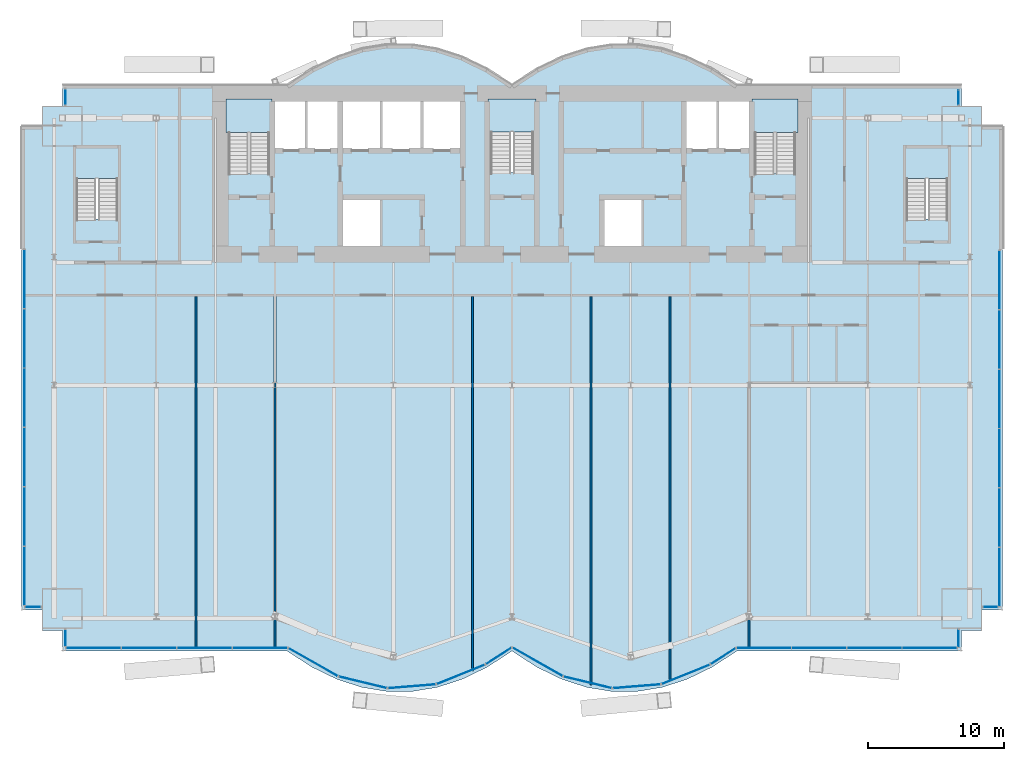
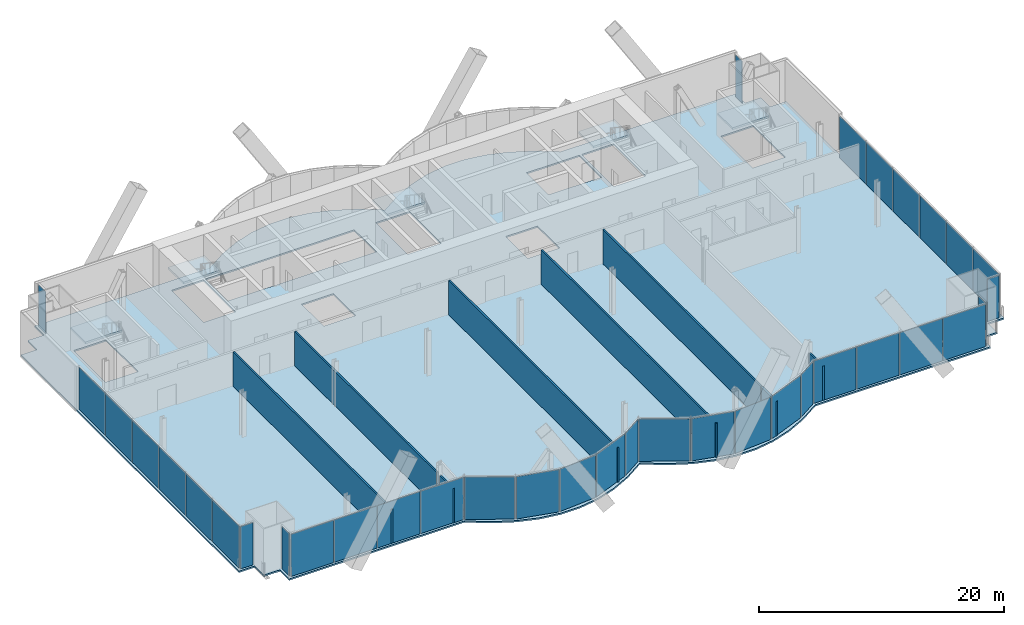
# One storey, part 15 of 23: 36 plates, 8 walls, 6 slabs, 17 elements without a shape of their own.
"""IFC4 building model written with IfcOpenShell, lengths in metres."""

from ifc_helpers import new_model, si_unit, direction, frame, frame_2d, origin, origin_2d, place, context, subcontext, project, spatial, polyline, rectangle, outline, extrude, material, layer, layer_set, type_object, element, aggregate, save


model = new_model("IFC4")

# Units and contexts
model_context = context("Model", 3, precision=1e-05, world=origin(), true_north=direction((0.0, 1.0)))
body_context = subcontext(model_context, "Body", "Model", "MODEL_VIEW")
ifc_project = project(units=[si_unit("LENGTHUNIT", "METRE"), si_unit("AREAUNIT", "SQUARE_METRE"), si_unit("VOLUMEUNIT", "CUBIC_METRE"), si_unit("PLANEANGLEUNIT", "RADIAN"), si_unit("MASSUNIT", "GRAM", prefix="KILO")], contexts=[model_context])

# Site, building, storey
site_placement = place(None, origin())
site = spatial("IfcSite", under=ifc_project, at=site_placement, CompositionType="ELEMENT")
building_placement = place(site_placement, origin())
building = spatial("IfcBuilding", under=site, at=building_placement, Name="Bicima Exchange Tower", CompositionType="ELEMENT")
storey_placement = place(building_placement, frame((0.0, 0.0, 44.0)))
storey = spatial("IfcBuildingStorey", under=building, at=storey_placement, Name="L08", CompositionType="ELEMENT", Elevation=44.0)

# Slab
ifc_material_1 = material(Name="Concrete C40/50", Category="concrete")
ifc_layer_1 = layer(ifc_material_1, 0.14990234375)
ifc_layer_set_1 = layer_set([ifc_layer_1], Name="Concrete C40/50")
slab_type_1 = type_object("IfcSlabType", Name="Composite floor slab 150", PredefinedType="FLOOR", material=ifc_layer_set_1)
slab_1_placement = place(storey_placement, frame((0.0, 0.0, -0.14990234375)))
element("IfcSlab", 1, at=slab_1_placement, inside=storey, type_object=slab_type_1, Name="Floor slab", PredefinedType="FLOOR", context=body_context, shape_type="SweptSolid", body=[
    extrude(outline(polyline([(-36.0, -38.511962890625), (-36.0, -3.0), (-34.5, -3.0), (-34.5, -1.5), (-33.0, -1.5), (-33.0, 0.0), (-16.5, 0.0), (-14.666748046875, 1.185302734375), (-12.833251953125, 2.07421875), (-11.0, 2.666748046875), (-9.166748046875, 2.962890625), (-7.333251953125, 2.962890625), (-5.5, 2.666748046875), (-3.666748046875, 2.07421875), (-1.833251953125, 1.185302734375), (0.0, 0.0), (1.833251953125, 1.185302734375), (3.666748046875, 2.07421875), (5.5, 2.666748046875), (7.333251953125, 2.962890625), (9.166748046875, 2.962890625), (11.0, 2.666748046875), (12.833251953125, 2.07421875), (14.666748046875, 1.185302734375), (16.5, 0.0), (33.0, 0.0), (33.0, -1.5), (34.5, -1.5), (34.5, -3.0), (36.0, -3.0), (36.0, -38.511962890625), (34.5, -38.511962890625), (34.5, -40.011962890625), (33.0, -40.011962890625), (33.0, -41.511962890625), (16.5, -41.511962890625), (14.666748046875, -42.697265625), (12.833251953125, -43.586181640625), (11.0, -44.1787109375), (9.166748046875, -44.47509765625), (7.333251953125, -44.47509765625), (5.5, -44.1787109375), (3.666748046875, -43.586181640625), (1.833251953125, -42.697265625), (0.0, -41.511962890625), (-1.833251953125, -42.697265625), (-3.666748046875, -43.586181640625), (-5.5, -44.1787109375), (-7.333251953125, -44.47509765625), (-9.166748046875, -44.47509765625), (-11.0, -44.1787109375), (-12.833251953125, -43.586181640625), (-14.666748046875, -42.697265625), (-16.5, -41.511962890625), (-33.0, -41.511962890625), (-33.0, -40.011962890625), (-34.5, -40.011962890625), (-34.5, -38.511962890625), (-36.0, -38.511962890625)]), holes=[polyline([(-9.60009765625, -11.800048828125), (-9.60009765625, -8.199951171875), (-12.60009765625, -8.199951171875), (-12.60009765625, -11.800048828125), (-9.60009765625, -11.800048828125)]), polyline([(-31.97509765625, -9.824951171875), (-28.925048828125, -9.824951171875), (-28.925048828125, -4.625), (-31.97509765625, -4.625), (-31.97509765625, -9.824951171875)]), polyline([(-20.800048828125, -6.449951171875), (-17.800048828125, -6.449951171875), (-17.800048828125, -1.199951171875), (-20.800048828125, -1.199951171875), (-20.800048828125, -6.449951171875)]), polyline([(-9.60009765625, -1.199951171875), (-12.60009765625, -1.199951171875), (-15.10009765625, -1.199951171875), (-17.60009765625, -1.199951171875), (-17.60009765625, -4.800048828125), (-15.10009765625, -4.800048828125), (-12.60009765625, -4.800048828125), (-9.60009765625, -4.800048828125), (-6.60009765625, -4.800048828125), (-3.60009765625, -4.800048828125), (-3.60009765625, -1.199951171875), (-6.60009765625, -1.199951171875), (-9.60009765625, -1.199951171875)]), polyline([(9.60009765625, -11.800048828125), (9.60009765625, -8.199951171875), (6.60009765625, -8.199951171875), (6.60009765625, -11.800048828125), (9.60009765625, -11.800048828125)]), polyline([(28.925048828125, -9.824951171875), (31.97509765625, -9.824951171875), (31.97509765625, -4.625), (28.925048828125, -4.625), (28.925048828125, -9.824951171875)]), polyline([(17.800048828125, -6.449951171875), (20.800048828125, -6.449951171875), (20.800048828125, -1.199951171875), (17.800048828125, -1.199951171875), (17.800048828125, -6.449951171875)]), polyline([(-1.574951171875, -6.39990234375), (1.574951171875, -6.39990234375), (1.574951171875, -1.199951171875), (-1.574951171875, -1.199951171875), (-1.574951171875, -6.39990234375)]), polyline([(17.60009765625, -4.800048828125), (17.60009765625, -1.199951171875), (15.10009765625, -1.199951171875), (12.60009765625, -1.199951171875), (12.60009765625, -4.800048828125), (15.10009765625, -4.800048828125), (17.60009765625, -4.800048828125)])]), origin(), (0.0, 0.0, 1.0), 0.14990234375),
])

# Curtain wall, plates
ifc_material_2 = material(Name="Anodised bronze aluminium", Category="aluminium")
curtain_wall_type_1 = type_object("IfcCurtainWallType", Name="End face glass wall", PredefinedType="NOTDEFINED", material=ifc_material_2)
curtain_wall_1_placement = place(storey_placement, origin())
curtain_wall_1 = element("IfcCurtainWall", 2, at=curtain_wall_1_placement, inside=storey, type_object=curtain_wall_type_1, Name="End face glass wall L08 run 2", PredefinedType="NOTDEFINED")
ifc_material_3 = material(Name="Bronze tinted glass", Category="glass")
ifc_layer_2 = layer(ifc_material_3, 0.031982421875)
ifc_layer_set_2 = layer_set([ifc_layer_2], Name="Bronze tinted glass")
plate_type_1 = type_object("IfcPlateType", Name="End face glass wall glass panel 32", PredefinedType="CURTAIN_PANEL", material=ifc_layer_set_2)
plate_1_placement = place(storey_placement, frame((-35.77001953125, -14.20849609375, 0.0), z_axis=(0.0, 0.0, 1.0), x_axis=(0.0, -1.0, 0.0)))
plate_1 = element("IfcPlate", 3, at=plate_1_placement, type_object=plate_type_1, Name="End face glass wall panel 1.1", PredefinedType="CURTAIN_PANEL", context=body_context, shape_type="SweptSolid", body=[
    extrude(rectangle(XDim=4.297119140625, YDim=0.031982421875, at=origin_2d()), origin(), (0.0, 0.0, 1.0), 4.2099609375),
])
plate_2_placement = place(storey_placement, frame((-35.77001953125, -18.5654296875, 0.0), z_axis=(0.0, 0.0, 1.0), x_axis=(0.0, -1.0, 0.0)))
plate_2 = element("IfcPlate", 4, at=plate_2_placement, type_object=plate_type_1, Name="End face glass wall panel 2.1", PredefinedType="CURTAIN_PANEL", context=body_context, shape_type="SweptSolid", body=[
    extrude(rectangle(XDim=4.297119140625, YDim=0.031982421875, at=origin_2d()), origin(), (0.0, 0.0, 1.0), 4.2099609375),
])
plate_3_placement = place(storey_placement, frame((-35.77001953125, -22.922607421875, 0.0), z_axis=(0.0, 0.0, 1.0), x_axis=(0.0, -1.0, 0.0)))
plate_3 = element("IfcPlate", 5, at=plate_3_placement, type_object=plate_type_1, Name="End face glass wall panel 3.1", PredefinedType="CURTAIN_PANEL", context=body_context, shape_type="SweptSolid", body=[
    extrude(rectangle(XDim=4.297119140625, YDim=0.031982421875, at=origin_2d()), origin(), (0.0, 0.0, 1.0), 4.2099609375),
])
plate_4_placement = place(storey_placement, frame((-35.77001953125, -27.279541015625, 0.0), z_axis=(0.0, 0.0, 1.0), x_axis=(0.0, -1.0, 0.0)))
plate_4 = element("IfcPlate", 6, at=plate_4_placement, type_object=plate_type_1, Name="End face glass wall panel 4.1", PredefinedType="CURTAIN_PANEL", context=body_context, shape_type="SweptSolid", body=[
    extrude(rectangle(XDim=4.297119140625, YDim=0.031982421875, at=origin_2d()), origin(), (0.0, 0.0, 1.0), 4.2099609375),
])
plate_5_placement = place(storey_placement, frame((-35.77001953125, -35.993408203125, 0.0), z_axis=(0.0, 0.0, 1.0), x_axis=(0.0, -1.0, 0.0)))
plate_5 = element("IfcPlate", 7, at=plate_5_placement, type_object=plate_type_1, Name="End face glass wall panel 6.1", PredefinedType="CURTAIN_PANEL", context=body_context, shape_type="SweptSolid", body=[
    extrude(rectangle(XDim=4.297119140625, YDim=0.031982421875, at=origin_2d()), origin(), (0.0, 0.0, 1.0), 4.2099609375),
])

curtain_wall_2_placement = place(storey_placement, origin())
curtain_wall_2 = element("IfcCurtainWall", 8, at=curtain_wall_2_placement, inside=storey, type_object=curtain_wall_type_1, Name="End face glass wall L08 run 19", PredefinedType="NOTDEFINED")
plate_6_placement = place(storey_placement, frame((35.77001953125, -36.073486328125, 0.0), z_axis=(0.0, 0.0, 1.0), x_axis=(0.0, 1.0, 0.0)))
plate_6 = element("IfcPlate", 9, at=plate_6_placement, type_object=plate_type_1, Name="End face glass wall panel 1.1", PredefinedType="CURTAIN_PANEL", context=body_context, shape_type="SweptSolid", body=[
    extrude(rectangle(XDim=4.297119140625, YDim=0.031982421875, at=origin_2d()), origin(), (0.0, 0.0, 1.0), 4.2099609375),
])
plate_7_placement = place(storey_placement, frame((35.77001953125, -27.359619140625, 0.0), z_axis=(0.0, 0.0, 1.0), x_axis=(0.0, 1.0, 0.0)))
plate_7 = element("IfcPlate", 10, at=plate_7_placement, type_object=plate_type_1, Name="End face glass wall panel 3.1", PredefinedType="CURTAIN_PANEL", context=body_context, shape_type="SweptSolid", body=[
    extrude(rectangle(XDim=4.297119140625, YDim=0.031982421875, at=origin_2d()), origin(), (0.0, 0.0, 1.0), 4.2099609375),
])
plate_8_placement = place(storey_placement, frame((35.77001953125, -23.00244140625, 0.0), z_axis=(0.0, 0.0, 1.0), x_axis=(0.0, 1.0, 0.0)))
plate_8 = element("IfcPlate", 11, at=plate_8_placement, type_object=plate_type_1, Name="End face glass wall panel 4.1", PredefinedType="CURTAIN_PANEL", context=body_context, shape_type="SweptSolid", body=[
    extrude(rectangle(XDim=4.297119140625, YDim=0.031982421875, at=origin_2d()), origin(), (0.0, 0.0, 1.0), 4.2099609375),
])
plate_9_placement = place(storey_placement, frame((35.77001953125, -18.6455078125, 0.0), z_axis=(0.0, 0.0, 1.0), x_axis=(0.0, 1.0, 0.0)))
plate_9 = element("IfcPlate", 12, at=plate_9_placement, type_object=plate_type_1, Name="End face glass wall panel 5.1", PredefinedType="CURTAIN_PANEL", context=body_context, shape_type="SweptSolid", body=[
    extrude(rectangle(XDim=4.297119140625, YDim=0.031982421875, at=origin_2d()), origin(), (0.0, 0.0, 1.0), 4.2099609375),
])
plate_10_placement = place(storey_placement, frame((35.77001953125, -14.28857421875, 0.0), z_axis=(0.0, 0.0, 1.0), x_axis=(0.0, 1.0, 0.0)))
plate_10 = element("IfcPlate", 13, at=plate_10_placement, type_object=plate_type_1, Name="End face glass wall panel 6.1", PredefinedType="CURTAIN_PANEL", context=body_context, shape_type="SweptSolid", body=[
    extrude(rectangle(XDim=4.297119140625, YDim=0.031982421875, at=origin_2d()), origin(), (0.0, 0.0, 1.0), 4.2099609375),
])

# Plate
ifc_material_4 = material(Name="Bronze anodised aluminium", Category="aluminium")
ifc_layer_3 = layer(ifc_material_4, 0.031982421875)
ifc_layer_set_3 = layer_set([ifc_layer_3], Name="Bronze anodised aluminium")
plate_type_2 = type_object("IfcPlateType", Name="End face glass wall spandrel panel 32", PredefinedType="CURTAIN_PANEL", material=ifc_layer_set_3)
plate_11_placement = place(storey_placement, frame((-35.77001953125, -31.636474609375, 0.0), z_axis=(0.0, 0.0, 1.0), x_axis=(0.0, -1.0, 0.0)))
plate_11 = element("IfcPlate", 14, at=plate_11_placement, type_object=plate_type_2, Name="End face spandrel wall panel 5.1", PredefinedType="CURTAIN_PANEL", context=body_context, shape_type="SweptSolid", body=[
    extrude(rectangle(XDim=4.297119140625, YDim=0.031982421875, at=origin_2d()), origin(), (0.0, 0.0, 1.0), 4.2099609375),
])

aggregate(curtain_wall_1, [plate_1, plate_2, plate_3, plate_4, plate_11, plate_5])

plate_12_placement = place(storey_placement, frame((35.77001953125, -31.716552734375, 0.0), z_axis=(0.0, 0.0, 1.0), x_axis=(0.0, 1.0, 0.0)))
plate_12 = element("IfcPlate", 15, at=plate_12_placement, type_object=plate_type_2, Name="End face spandrel wall panel 2.1", PredefinedType="CURTAIN_PANEL", context=body_context, shape_type="SweptSolid", body=[
    extrude(rectangle(XDim=4.297119140625, YDim=0.031982421875, at=origin_2d()), origin(), (0.0, 0.0, 1.0), 4.2099609375),
])

aggregate(curtain_wall_2, [plate_6, plate_12, plate_7, plate_8, plate_9, plate_10])

# Curtain wall, plate
curtain_wall_type_2 = type_object("IfcCurtainWallType", Name="Front glass wall", PredefinedType="NOTDEFINED", material=ifc_material_2)
curtain_wall_3_placement = place(storey_placement, origin())
curtain_wall_3 = element("IfcCurtainWall", 16, at=curtain_wall_3_placement, inside=storey, type_object=curtain_wall_type_2, Name="Front glass wall L08 run 1", PredefinedType="NOTDEFINED")
ifc_layer_4 = layer(ifc_material_3, 0.031982421875)
ifc_layer_set_4 = layer_set([ifc_layer_4], Name="Bronze tinted glass")
plate_type_3 = type_object("IfcPlateType", Name="Front glass wall glass panel 32", PredefinedType="CURTAIN_PANEL", material=ifc_layer_set_4)
plate_13_placement = place(storey_placement, frame((-32.77001953125, -0.864990234375, 0.0), z_axis=(0.0, 0.0, 1.0), x_axis=(0.0, -1.0, 0.0)))
plate_13 = element("IfcPlate", 17, at=plate_13_placement, type_object=plate_type_3, Name="Front glass wall panel 1.1", PredefinedType="CURTAIN_PANEL", context=body_context, shape_type="SweptSolid", body=[
    extrude(rectangle(XDim=1.14990234375, YDim=0.031982421875, at=origin_2d()), origin(), (0.0, 0.0, 1.0), 4.2099609375),
])
aggregate(curtain_wall_3, [plate_13])

curtain_wall_4_placement = place(storey_placement, origin())
curtain_wall_4 = element("IfcCurtainWall", 18, at=curtain_wall_4_placement, inside=storey, type_object=curtain_wall_type_2, Name="Front glass wall L08 run 3", PredefinedType="NOTDEFINED")
plate_14_placement = place(storey_placement, frame((-35.135009765625, -38.281982421875, 0.0), z_axis=(0.0, 0.0, 1.0), x_axis=(1.0, 0.0, 0.0)))
plate_14 = element("IfcPlate", 19, at=plate_14_placement, type_object=plate_type_3, Name="Front glass wall panel 1.1", PredefinedType="CURTAIN_PANEL", context=body_context, shape_type="SweptSolid", body=[
    extrude(rectangle(XDim=1.14990234375, YDim=0.031982421875, at=origin_2d()), origin(), (0.0, 0.0, 1.0), 4.2099609375),
])
aggregate(curtain_wall_4, [plate_14])

curtain_wall_5_placement = place(storey_placement, origin())
curtain_wall_5 = element("IfcCurtainWall", 20, at=curtain_wall_5_placement, inside=storey, type_object=curtain_wall_type_2, Name="Front glass wall L08 run 4", PredefinedType="NOTDEFINED")
plate_15_placement = place(storey_placement, frame((-32.77001953125, -40.5458984375, 0.0), z_axis=(0.0, 0.0, 1.0), x_axis=(0.0, -1.0, 0.0)))
plate_15 = element("IfcPlate", 21, at=plate_15_placement, type_object=plate_type_3, Name="Front glass wall panel 1.1", PredefinedType="CURTAIN_PANEL", context=body_context, shape_type="SweptSolid", body=[
    extrude(rectangle(XDim=1.19189453125, YDim=0.031982421875, at=origin_2d()), origin(), (0.0, 0.0, 1.0), 4.2099609375),
])
aggregate(curtain_wall_5, [plate_15])

# Curtain wall, plates
curtain_wall_6_placement = place(storey_placement, origin())
curtain_wall_6 = element("IfcCurtainWall", 22, at=curtain_wall_6_placement, inside=storey, type_object=curtain_wall_type_2, Name="Front glass wall L08 run 5", PredefinedType="NOTDEFINED")
plate_16_placement = place(storey_placement, frame((-30.705322265625, -41.281982421875, 0.0), z_axis=(0.0, 0.0, 1.0), x_axis=(1.0, 0.0, 0.0)))
plate_16 = element("IfcPlate", 23, at=plate_16_placement, type_object=plate_type_3, Name="Front glass wall panel 1.1", PredefinedType="CURTAIN_PANEL", context=body_context, shape_type="SweptSolid", body=[
    extrude(rectangle(XDim=4.009521484375, YDim=0.031982421875, at=origin_2d()), origin(), (0.0, 0.0, 1.0), 4.2099609375),
])
plate_17_placement = place(storey_placement, frame((-22.56640625, -41.281982421875, 0.0), z_axis=(0.0, 0.0, 1.0), x_axis=(1.0, 0.0, 0.0)))
plate_17 = element("IfcPlate", 24, at=plate_17_placement, type_object=plate_type_3, Name="Front glass wall panel 3.1", PredefinedType="CURTAIN_PANEL", context=body_context, shape_type="SweptSolid", body=[
    extrude(rectangle(XDim=4.009521484375, YDim=0.031982421875, at=origin_2d()), origin(), (0.0, 0.0, 1.0), 4.2099609375),
])
plate_18_placement = place(storey_placement, frame((-18.496826171875, -41.281982421875, 0.0), z_axis=(0.0, 0.0, 1.0), x_axis=(1.0, 0.0, 0.0)))
plate_18 = element("IfcPlate", 25, at=plate_18_placement, type_object=plate_type_3, Name="Front glass wall panel 4.1", PredefinedType="CURTAIN_PANEL", context=body_context, shape_type="SweptSolid", body=[
    extrude(rectangle(XDim=4.009521484375, YDim=0.031982421875, at=origin_2d()), origin(), (0.0, 0.0, 1.0), 4.2099609375),
])

curtain_wall_7_placement = place(storey_placement, origin())
curtain_wall_7 = element("IfcCurtainWall", 26, at=curtain_wall_7_placement, inside=storey, type_object=curtain_wall_type_2, Name="Front glass wall L08 run 6", PredefinedType="NOTDEFINED")
plate_19_placement = place(storey_placement, frame((-14.589599609375, -42.3271484375, 0.0), z_axis=(0.0, 0.0, 1.0), x_axis=(0.869805110681, -0.493395449343, 0.0)))
plate_19 = element("IfcPlate", 27, at=plate_19_placement, type_object=plate_type_3, Name="Front glass wall panel 1.1", PredefinedType="CURTAIN_PANEL", context=body_context, shape_type="SweptSolid", body=[
    extrude(rectangle(XDim=4.1162109375, YDim=0.031982421875, at=origin_2d()), origin(), (0.0, 0.0, 1.0), 4.2099609375),
])
plate_20_placement = place(storey_placement, frame((-10.94775390625, -43.80859375, 0.0), z_axis=(0.0, 0.0, 1.0), x_axis=(0.971830343553, -0.235681529503, 0.0)))
plate_20 = element("IfcPlate", 28, at=plate_20_placement, type_object=plate_type_3, Name="Front glass wall panel 1.1", PredefinedType="CURTAIN_PANEL", context=body_context, shape_type="SweptSolid", body=[
    extrude(rectangle(XDim=3.583251953125, YDim=0.031982421875, at=origin_2d()), origin(), (0.0, 0.0, 1.0), 4.2099609375),
])
plate_21_placement = place(storey_placement, frame((-3.750244140625, -43.225341796875, 0.0), z_axis=(0.0, 0.0, 1.0), x_axis=(0.92714396679, 0.374705304, 0.0)))
plate_21 = element("IfcPlate", 29, at=plate_21_placement, type_object=plate_type_3, Name="Front glass wall panel 1.1", PredefinedType="CURTAIN_PANEL", context=body_context, shape_type="SweptSolid", body=[
    extrude(rectangle(XDim=3.771240234375, YDim=0.031982421875, at=origin_2d()), origin(), (0.0, 0.0, 1.0), 4.2099609375),
])
plate_22_placement = place(storey_placement, frame((-0.97314453125, -41.8671875, 0.0), z_axis=(0.0, 0.0, 1.0), x_axis=(0.839798994301, 0.542897457326, 0.0)))
plate_22 = element("IfcPlate", 30, at=plate_22_placement, type_object=plate_type_3, Name="Front glass wall panel 1.1", PredefinedType="CURTAIN_PANEL", context=body_context, shape_type="SweptSolid", body=[
    extrude(rectangle(XDim=2.197509765625, YDim=0.031982421875, at=origin_2d()), origin(), (0.0, 0.0, 1.0), 4.2099609375),
])

curtain_wall_8_placement = place(storey_placement, origin())
curtain_wall_8 = element("IfcCurtainWall", 31, at=curtain_wall_8_placement, inside=storey, type_object=curtain_wall_type_2, Name="Front glass wall L08 run 11", PredefinedType="NOTDEFINED")
plate_23_placement = place(storey_placement, frame((1.876220703125, -42.30517578125, 0.0), z_axis=(0.0, 0.0, 1.0), x_axis=(0.869274147378, -0.494330311331, 0.0)))
plate_23 = element("IfcPlate", 32, at=plate_23_placement, type_object=plate_type_3, Name="Front glass wall panel 1.1", PredefinedType="CURTAIN_PANEL", context=body_context, shape_type="SweptSolid", body=[
    extrude(rectangle(XDim=4.197021484375, YDim=0.031982421875, at=origin_2d()), origin(), (0.0, 0.0, 1.0), 4.2099609375),
])
plate_24_placement = place(storey_placement, frame((12.749755859375, -43.225341796875, 0.0), z_axis=(0.0, 0.0, 1.0), x_axis=(0.92714396679, 0.374705304, 0.0)))
plate_24 = element("IfcPlate", 33, at=plate_24_placement, type_object=plate_type_3, Name="Front glass wall panel 1.1", PredefinedType="CURTAIN_PANEL", context=body_context, shape_type="SweptSolid", body=[
    extrude(rectangle(XDim=3.771240234375, YDim=0.031982421875, at=origin_2d()), origin(), (0.0, 0.0, 1.0), 4.2099609375),
])
plate_25_placement = place(storey_placement, frame((15.492919921875, -41.88916015625, 0.0), z_axis=(0.0, 0.0, 1.0), x_axis=(0.839791413941, 0.542909183079, 0.0)))
plate_25 = element("IfcPlate", 34, at=plate_25_placement, type_object=plate_type_3, Name="Front glass wall panel 1.1", PredefinedType="CURTAIN_PANEL", context=body_context, shape_type="SweptSolid", body=[
    extrude(rectangle(XDim=2.11669921875, YDim=0.031982421875, at=origin_2d()), origin(), (0.0, 0.0, 1.0), 4.2099609375),
])

curtain_wall_9_placement = place(storey_placement, origin())
curtain_wall_9 = element("IfcCurtainWall", 35, at=curtain_wall_9_placement, inside=storey, type_object=curtain_wall_type_2, Name="Front glass wall L08 run 16", PredefinedType="NOTDEFINED")
plate_26_placement = place(storey_placement, frame((18.48681640625, -41.281982421875, 0.0), z_axis=(0.0, 0.0, 1.0), x_axis=(1.0, 0.0, 0.0)))
plate_26 = element("IfcPlate", 36, at=plate_26_placement, type_object=plate_type_3, Name="Front glass wall panel 1.1", PredefinedType="CURTAIN_PANEL", context=body_context, shape_type="SweptSolid", body=[
    extrude(rectangle(XDim=3.989501953125, YDim=0.031982421875, at=origin_2d()), origin(), (0.0, 0.0, 1.0), 4.2099609375),
])
plate_27_placement = place(storey_placement, frame((22.536376953125, -41.281982421875, 0.0), z_axis=(0.0, 0.0, 1.0), x_axis=(1.0, 0.0, 0.0)))
plate_27 = element("IfcPlate", 37, at=plate_27_placement, type_object=plate_type_3, Name="Front glass wall panel 2.1", PredefinedType="CURTAIN_PANEL", context=body_context, shape_type="SweptSolid", body=[
    extrude(rectangle(XDim=3.989501953125, YDim=0.031982421875, at=origin_2d()), origin(), (0.0, 0.0, 1.0), 4.2099609375),
])
plate_28_placement = place(storey_placement, frame((30.63525390625, -41.281982421875, 0.0), z_axis=(0.0, 0.0, 1.0), x_axis=(1.0, 0.0, 0.0)))
plate_28 = element("IfcPlate", 38, at=plate_28_placement, type_object=plate_type_3, Name="Front glass wall panel 4.1", PredefinedType="CURTAIN_PANEL", context=body_context, shape_type="SweptSolid", body=[
    extrude(rectangle(XDim=3.989501953125, YDim=0.031982421875, at=origin_2d()), origin(), (0.0, 0.0, 1.0), 4.2099609375),
])

# Curtain wall, plate
curtain_wall_10_placement = place(storey_placement, origin())
curtain_wall_10 = element("IfcCurtainWall", 39, at=curtain_wall_10_placement, inside=storey, type_object=curtain_wall_type_2, Name="Front glass wall L08 run 17", PredefinedType="NOTDEFINED")
plate_29_placement = place(storey_placement, frame((32.77001953125, -40.5859375, 0.0), z_axis=(0.0, 0.0, 1.0), x_axis=(0.0, 1.0, 0.0)))
plate_29 = element("IfcPlate", 40, at=plate_29_placement, type_object=plate_type_3, Name="Front glass wall panel 1.1", PredefinedType="CURTAIN_PANEL", context=body_context, shape_type="SweptSolid", body=[
    extrude(rectangle(XDim=1.27197265625, YDim=0.031982421875, at=origin_2d()), origin(), (0.0, 0.0, 1.0), 4.2099609375),
])
aggregate(curtain_wall_10, [plate_29])

curtain_wall_11_placement = place(storey_placement, origin())
curtain_wall_11 = element("IfcCurtainWall", 41, at=curtain_wall_11_placement, inside=storey, type_object=curtain_wall_type_2, Name="Front glass wall L08 run 18", PredefinedType="NOTDEFINED")
plate_30_placement = place(storey_placement, frame((35.094970703125, -38.281982421875, 0.0), z_axis=(0.0, 0.0, 1.0), x_axis=(1.0, 0.0, 0.0)))
plate_30 = element("IfcPlate", 42, at=plate_30_placement, type_object=plate_type_3, Name="Front glass wall panel 1.1", PredefinedType="CURTAIN_PANEL", context=body_context, shape_type="SweptSolid", body=[
    extrude(rectangle(XDim=1.070068359375, YDim=0.031982421875, at=origin_2d()), origin(), (0.0, 0.0, 1.0), 4.2099609375),
])
aggregate(curtain_wall_11, [plate_30])

curtain_wall_12_placement = place(storey_placement, origin())
curtain_wall_12 = element("IfcCurtainWall", 43, at=curtain_wall_12_placement, inside=storey, type_object=curtain_wall_type_2, Name="Front glass wall L08 run 20", PredefinedType="NOTDEFINED")
plate_31_placement = place(storey_placement, frame((32.77001953125, -0.905029296875, 0.0), z_axis=(0.0, 0.0, 1.0), x_axis=(0.0, 1.0, 0.0)))
plate_31 = element("IfcPlate", 44, at=plate_31_placement, type_object=plate_type_3, Name="Front glass wall panel 1.1", PredefinedType="CURTAIN_PANEL", context=body_context, shape_type="SweptSolid", body=[
    extrude(rectangle(XDim=1.070068359375, YDim=0.031982421875, at=origin_2d()), origin(), (0.0, 0.0, 1.0), 4.2099609375),
])
aggregate(curtain_wall_12, [plate_31])

# Plate
ifc_layer_5 = layer(ifc_material_4, 0.031982421875)
ifc_layer_set_5 = layer_set([ifc_layer_5], Name="Bronze anodised aluminium")
plate_type_4 = type_object("IfcPlateType", Name="Front glass wall spandrel panel 32", PredefinedType="CURTAIN_PANEL", material=ifc_layer_set_5)
plate_32_placement = place(storey_placement, frame((-26.6357421875, -41.281982421875, 0.0), z_axis=(0.0, 0.0, 1.0), x_axis=(1.0, 0.0, 0.0)))
plate_32 = element("IfcPlate", 45, at=plate_32_placement, type_object=plate_type_4, Name="Front spandrel wall panel 2.1", PredefinedType="CURTAIN_PANEL", context=body_context, shape_type="SweptSolid", body=[
    extrude(rectangle(XDim=4.009521484375, YDim=0.031982421875, at=origin_2d()), origin(), (0.0, 0.0, 1.0), 4.2099609375),
])

aggregate(curtain_wall_6, [plate_16, plate_32, plate_17, plate_18])

plate_33_placement = place(storey_placement, frame((-7.35107421875, -44.099609375, 0.0), z_axis=(0.0, 0.0, 1.0), x_axis=(0.99674744821, 0.080588612633, 0.0)))
plate_33 = element("IfcPlate", 46, at=plate_33_placement, type_object=plate_type_4, Name="Front spandrel wall panel 1.1", PredefinedType="CURTAIN_PANEL", context=body_context, shape_type="SweptSolid", body=[
    extrude(rectangle(XDim=3.486083984375, YDim=0.031982421875, at=origin_2d()), origin(), (0.0, 0.0, 1.0), 4.2099609375),
])

aggregate(curtain_wall_7, [plate_19, plate_20, plate_33, plate_21, plate_22])

plate_34_placement = place(storey_placement, frame((5.55224609375, -43.80859375, 0.0), z_axis=(0.0, 0.0, 1.0), x_axis=(0.971830343553, -0.235681529503, 0.0)))
plate_34 = element("IfcPlate", 47, at=plate_34_placement, type_object=plate_type_4, Name="Front spandrel wall panel 1.1", PredefinedType="CURTAIN_PANEL", context=body_context, shape_type="SweptSolid", body=[
    extrude(rectangle(XDim=3.583251953125, YDim=0.031982421875, at=origin_2d()), origin(), (0.0, 0.0, 1.0), 4.2099609375),
])

plate_35_placement = place(storey_placement, frame((9.14892578125, -44.099609375, 0.0), z_axis=(0.0, 0.0, 1.0), x_axis=(0.99674744821, 0.080588612633, 0.0)))
plate_35 = element("IfcPlate", 48, at=plate_35_placement, type_object=plate_type_4, Name="Front spandrel wall panel 1.1", PredefinedType="CURTAIN_PANEL", context=body_context, shape_type="SweptSolid", body=[
    extrude(rectangle(XDim=3.486083984375, YDim=0.031982421875, at=origin_2d()), origin(), (0.0, 0.0, 1.0), 4.2099609375),
])

aggregate(curtain_wall_8, [plate_23, plate_34, plate_35, plate_24, plate_25])

plate_36_placement = place(storey_placement, frame((26.585693359375, -41.281982421875, 0.0), z_axis=(0.0, 0.0, 1.0), x_axis=(1.0, 0.0, 0.0)))
plate_36 = element("IfcPlate", 49, at=plate_36_placement, type_object=plate_type_4, Name="Front spandrel wall panel 3.1", PredefinedType="CURTAIN_PANEL", context=body_context, shape_type="SweptSolid", body=[
    extrude(rectangle(XDim=3.989501953125, YDim=0.031982421875, at=origin_2d()), origin(), (0.0, 0.0, 1.0), 4.2099609375),
])

aggregate(curtain_wall_9, [plate_26, plate_27, plate_36, plate_28])

# Stair, slab
ifc_material_5 = material(Name="Concrete C50/60", Category="concrete")
stair_type_1 = type_object("IfcStairType", Name="Exit stair", PredefinedType="HALF_TURN_STAIR", material=ifc_material_5)
stair_1_placement = place(storey_placement, origin())
stair_1 = element("IfcStair", 50, at=stair_1_placement, inside=storey, type_object=stair_type_1, Name="L08 West exit stair", PredefinedType="HALF_TURN_STAIR")
ifc_layer_6 = layer(ifc_material_5, 0.199951171875)
ifc_layer_set_6 = layer_set([ifc_layer_6], Name="Concrete C50/60")
slab_type_2 = type_object("IfcSlabType", Name="Stair landing slab", PredefinedType="LANDING", material=ifc_layer_set_6)
slab_2_placement = place(storey_placement, frame((0.0, 0.0, 2.050048828125)))
slab_2 = element("IfcSlab", 51, at=slab_2_placement, type_object=slab_type_2, Name="ST-W landing 1", PredefinedType="LANDING", context=body_context, shape_type="SweptSolid", body=[
    extrude(outline(polyline([(-17.60009765625, -3.469970703125), (-17.60009765625, -1.0), (-21.0, -1.0), (-21.0, -3.469970703125), (-17.60009765625, -3.469970703125)])), origin(), (0.0, 0.0, 1.0), 0.199951171875),
])
aggregate(stair_1, [slab_2])

stair_type_2 = type_object("IfcStairType", Name="Exit stair 1500", PredefinedType="HALF_TURN_STAIR", material=ifc_material_5)
stair_2_placement = place(storey_placement, origin())
stair_2 = element("IfcStair", 52, at=stair_2_placement, inside=storey, type_object=stair_type_2, Name="L08 Central exit stair", PredefinedType="HALF_TURN_STAIR")
slab_3_placement = place(storey_placement, frame((0.0, 0.0, 2.050048828125)))
slab_3 = element("IfcSlab", 53, at=slab_3_placement, type_object=slab_type_2, Name="ST-C landing 1", PredefinedType="LANDING", context=body_context, shape_type="SweptSolid", body=[
    extrude(outline(polyline([(1.77490234375, -3.419921875), (1.77490234375, -1.0), (-1.77490234375, -1.0), (-1.77490234375, -3.419921875), (1.77490234375, -3.419921875)])), origin(), (0.0, 0.0, 1.0), 0.199951171875),
])
aggregate(stair_2, [slab_3])

stair_3_placement = place(storey_placement, origin())
stair_3 = element("IfcStair", 54, at=stair_3_placement, inside=storey, type_object=stair_type_1, Name="L08 East exit stair", PredefinedType="HALF_TURN_STAIR")
slab_4_placement = place(storey_placement, frame((0.0, 0.0, 2.050048828125)))
slab_4 = element("IfcSlab", 55, at=slab_4_placement, type_object=slab_type_2, Name="ST-E landing 1", PredefinedType="LANDING", context=body_context, shape_type="SweptSolid", body=[
    extrude(outline(polyline([(21.0, -3.469970703125), (21.0, -1.0), (17.60009765625, -1.0), (17.60009765625, -3.469970703125), (21.0, -3.469970703125)])), origin(), (0.0, 0.0, 1.0), 0.199951171875),
])
aggregate(stair_3, [slab_4])

stair_4_placement = place(storey_placement, origin())
stair_4 = element("IfcStair", 56, at=stair_4_placement, inside=storey, type_object=stair_type_1, Name="L08 West end exit stair", PredefinedType="HALF_TURN_STAIR")
slab_5_placement = place(storey_placement, frame((0.0, 0.0, 2.050048828125)))
slab_5 = element("IfcSlab", 57, at=slab_5_placement, type_object=slab_type_2, Name="ST-WW landing 1", PredefinedType="LANDING", context=body_context, shape_type="SweptSolid", body=[
    extrude(outline(polyline([(-28.72509765625, -6.844970703125), (-28.72509765625, -4.425048828125), (-32.175048828125, -4.425048828125), (-32.175048828125, -6.844970703125), (-28.72509765625, -6.844970703125)])), origin(), (0.0, 0.0, 1.0), 0.199951171875),
])
aggregate(stair_4, [slab_5])

stair_5_placement = place(storey_placement, origin())
stair_5 = element("IfcStair", 58, at=stair_5_placement, inside=storey, type_object=stair_type_1, Name="L08 East end exit stair", PredefinedType="HALF_TURN_STAIR")
slab_6_placement = place(storey_placement, frame((0.0, 0.0, 2.050048828125)))
slab_6 = element("IfcSlab", 59, at=slab_6_placement, type_object=slab_type_2, Name="ST-EE landing 1", PredefinedType="LANDING", context=body_context, shape_type="SweptSolid", body=[
    extrude(outline(polyline([(32.175048828125, -6.844970703125), (32.175048828125, -4.425048828125), (28.72509765625, -4.425048828125), (28.72509765625, -6.844970703125), (32.175048828125, -6.844970703125)])), origin(), (0.0, 0.0, 1.0), 0.199951171875),
])
aggregate(stair_5, [slab_6])

# Walls
ifc_material_6 = material(Name="Gypsum board partition")
ifc_layer_7 = layer(ifc_material_6, 0.14990234375)
ifc_layer_set_7 = layer_set([ifc_layer_7], Name="Gypsum board partition")
wall_type = type_object("IfcWallType", Name="Gypsum partition 150", PredefinedType="PARTITIONING", material=ifc_layer_set_7)
wall_1_placement = place(storey_placement, frame((-23.199951171875, -41.300048828125, 0.0), z_axis=(0.0, 0.0, 1.0), x_axis=(0.0, 1.0, 0.0)))
element("IfcWall", 60, at=wall_1_placement, inside=storey, type_object=wall_type, Name="partition wall 15", PredefinedType="PARTITIONING", context=body_context, shape_type="SweptSolid", body=[
    extrude(rectangle(XDim=25.800048828125, YDim=0.14990234375, at=frame_2d((12.89990234375, 0.0))), origin(), (0.0, 0.0, 1.0), 3.418212890625),
])
wall_2_placement = place(storey_placement, frame((-17.39990234375, -41.300048828125, 0.0), z_axis=(0.0, 0.0, 1.0), x_axis=(0.0, 1.0, 0.0)))
element("IfcWall", 61, at=wall_2_placement, inside=storey, type_object=wall_type, Name="partition wall 16", PredefinedType="PARTITIONING", context=body_context, shape_type="SweptSolid", body=[
    extrude(rectangle(XDim=2.186279296875, YDim=0.14990234375, at=frame_2d((1.09326171875, 0.0))), origin(), (0.0, 0.0, 1.0), 3.418212890625),
])
wall_3_placement = place(storey_placement, frame((-17.39990234375, -38.622314453125, 0.0), z_axis=(0.0, 0.0, 1.0), x_axis=(0.0, 1.0, 0.0)))
element("IfcWall", 62, at=wall_3_placement, inside=storey, type_object=wall_type, Name="partition wall 17", PredefinedType="PARTITIONING", context=body_context, shape_type="SweptSolid", body=[
    extrude(rectangle(XDim=23.122314453125, YDim=0.14990234375, at=frame_2d((11.56103515625, 0.0))), origin(), (0.0, 0.0, 1.0), 3.418212890625),
])
wall_4_placement = place(storey_placement, frame((-2.89990234375, -42.97998046875, 0.0), z_axis=(0.0, 0.0, 1.0), x_axis=(0.0, 1.0, 0.0)))
element("IfcWall", 63, at=wall_4_placement, inside=storey, type_object=wall_type, Name="partition wall 18", PredefinedType="PARTITIONING", context=body_context, shape_type="SweptSolid", body=[
    extrude(rectangle(XDim=27.47998046875, YDim=0.14990234375, at=frame_2d((13.739990234375, 0.0))), origin(), (0.0, 0.0, 1.0), 3.418212890625),
])
wall_5_placement = place(storey_placement, frame((5.800048828125, -44.010009765625, 0.0), z_axis=(0.0, 0.0, 1.0), x_axis=(0.0, 1.0, 0.0)))
element("IfcWall", 64, at=wall_5_placement, inside=storey, type_object=wall_type, Name="partition wall 19", PredefinedType="PARTITIONING", context=body_context, shape_type="SweptSolid", body=[
    extrude(rectangle(XDim=28.510009765625, YDim=0.14990234375, at=frame_2d((14.2548828125, 0.0))), origin(), (0.0, 0.0, 1.0), 3.418212890625),
])
wall_6_placement = place(storey_placement, frame((11.60009765625, -43.760009765625, 0.0), z_axis=(0.0, 0.0, 1.0), x_axis=(0.0, 1.0, 0.0)))
element("IfcWall", 65, at=wall_6_placement, inside=storey, type_object=wall_type, Name="partition wall 20", PredefinedType="PARTITIONING", context=body_context, shape_type="SweptSolid", body=[
    extrude(rectangle(XDim=2.41796875, YDim=0.14990234375, at=frame_2d((1.208984375, 0.0))), origin(), (0.0, 0.0, 1.0), 3.418212890625),
])
wall_7_placement = place(storey_placement, frame((11.60009765625, -41.19921875, 0.0), z_axis=(0.0, 0.0, 1.0), x_axis=(0.0, 1.0, 0.0)))
element("IfcWall", 66, at=wall_7_placement, inside=storey, type_object=wall_type, Name="partition wall 21", PredefinedType="PARTITIONING", context=body_context, shape_type="SweptSolid", body=[
    extrude(rectangle(XDim=25.69921875, YDim=0.14990234375, at=frame_2d((12.849609375, 0.0))), origin(), (0.0, 0.0, 1.0), 3.418212890625),
])
wall_8_placement = place(storey_placement, frame((17.39990234375, -41.300048828125, 0.0), z_axis=(0.0, 0.0, 1.0), x_axis=(0.0, 1.0, 0.0)))
element("IfcWall", 67, at=wall_8_placement, inside=storey, type_object=wall_type, Name="partition wall 22", PredefinedType="PARTITIONING", context=body_context, shape_type="SweptSolid", body=[
    extrude(rectangle(XDim=2.186279296875, YDim=0.14990234375, at=frame_2d((1.09326171875, 0.0))), origin(), (0.0, 0.0, 1.0), 3.418212890625),
])

save(model, "model.ifc")
